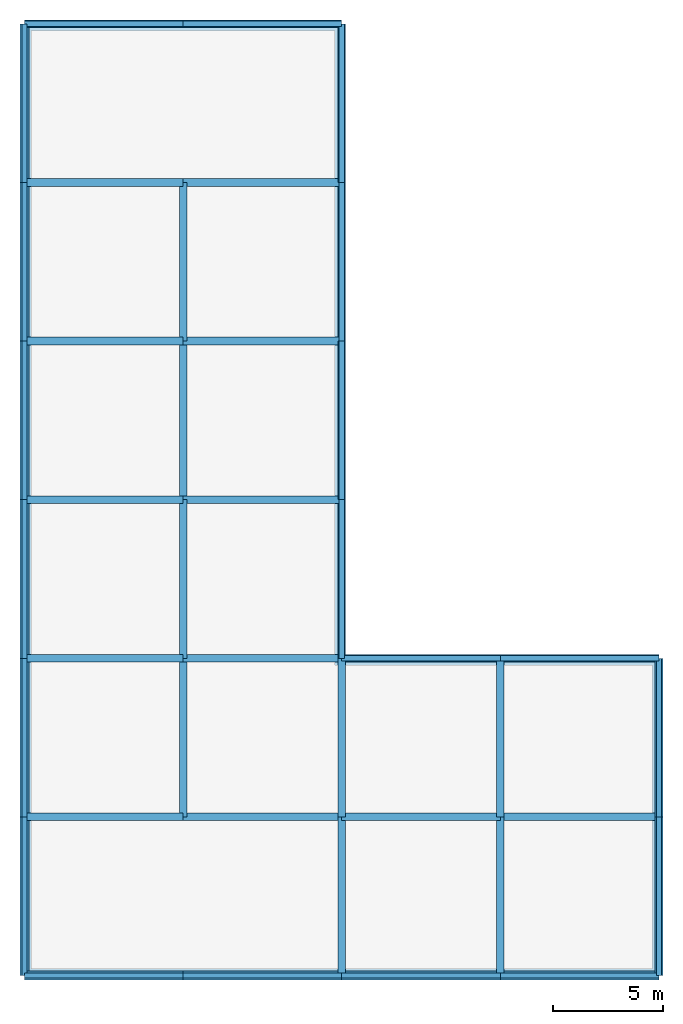
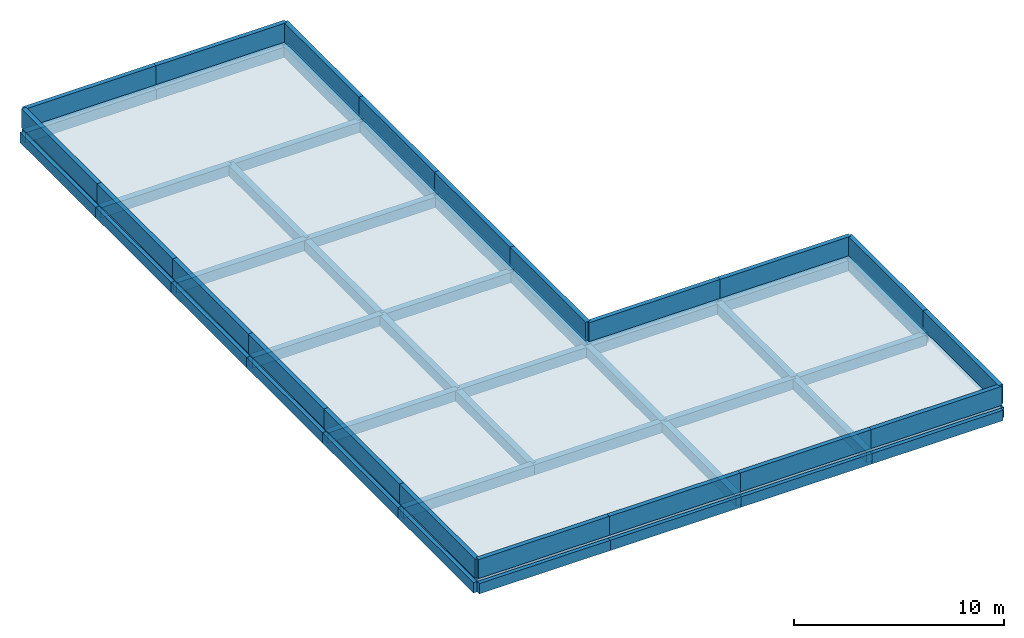
# One storey, part 1 of 2: 40 beams, 20 walls, 1 slab.
"""IFC4 building model written with IfcOpenShell, lengths in metres."""

from ifc_helpers import new_model, si_unit, direction, frame, frame_2d, origin, origin_2d, place, context, subcontext, project, spatial, polyline, rectangle, outline, extrude, material, layer, layer_set, material_profile, profile_set, type_object, element, save


model = new_model("IFC4")

# Units and contexts
model_context = context("Model", 3, precision=1e-05, world=origin(), true_north=direction((0.0, 1.0)))
body_context = subcontext(model_context, "Body", "Model", "MODEL_VIEW")
ifc_project = project(units=[si_unit("LENGTHUNIT", "METRE"), si_unit("AREAUNIT", "SQUARE_METRE"), si_unit("VOLUMEUNIT", "CUBIC_METRE"), si_unit("PLANEANGLEUNIT", "RADIAN"), si_unit("MASSUNIT", "GRAM", prefix="KILO")], contexts=[model_context])

# Site, building, storey
site_placement = place(None, origin())
site = spatial("IfcSite", under=ifc_project, at=site_placement, CompositionType="ELEMENT")
building_placement = place(site_placement, origin())
building = spatial("IfcBuilding", under=site, at=building_placement, Name="Zornivar Specialist Clinic", CompositionType="ELEMENT")
storey_placement = place(building_placement, frame((0.0, 0.0, 27.0)))
storey = spatial("IfcBuildingStorey", under=building, at=storey_placement, Name="RF", CompositionType="ELEMENT", Elevation=27.0)

# Beams
ifc_material_1 = material(Name="Concrete C30/37", Category="concrete")
ifc_material_profile_1 = material_profile(ifc_material_1, rectangle(XDim=0.35009765625, YDim=0.60009765625, at=origin_2d()), Name="RC 350x600")
ifc_profile_set_1 = profile_set([ifc_material_profile_1], Name="Concrete C30/37")
beam_type_1 = type_object("IfcBeamType", Name="BM-RC-350x600", PredefinedType="BEAM", material=ifc_profile_set_1)
for number, where, z_axis, x_axis, name in (
    (1, (0.0, 7.199951171875, -0.5400390625), (1.0, 0.0, 0.0), (0.0, 1.0, 0.0), "bm:V2:RF:x:72:0"),
    (2, (7.199951171875, 7.199951171875, -0.5400390625), (1.0, 0.0, 0.0), (0.0, 1.0, 0.0), "bm:V2:RF:x:72:1"),
):
    element("IfcBeam", number, at=place(storey_placement, frame(where, z_axis=z_axis, x_axis=x_axis)), inside=storey, type_object=beam_type_1, Name=name, PredefinedType="BEAM", context=body_context, shape_type="SweptSolid", body=[
        extrude(rectangle(XDim=0.35009765625, YDim=0.60009765625, at=origin_2d()), origin(), (0.0, 0.0, 1.0), 7.199951171875),
    ])
beam_1_placement = place(storey_placement, frame((14.39990234375, 7.199951171875, -0.5400390625), z_axis=(1.0, 0.0, 0.0), x_axis=(0.0, 1.0, 0.0)))
element("IfcBeam", 3, at=beam_1_placement, inside=storey, type_object=beam_type_1, Name="bm:V2:RF:x:72:2", PredefinedType="BEAM", context=body_context, shape_type="SweptSolid", body=[
    extrude(rectangle(XDim=0.35009765625, YDim=0.60009765625, at=origin_2d()), origin(), (0.0, 0.0, 1.0), 7.2001953125),
])
for number, where, z_axis, x_axis, name in (
    (4, (21.60009765625, 7.199951171875, -0.5400390625), (1.0, 0.0, 0.0), (0.0, 1.0, 0.0), "bm:V2:RF:x:72:3"),
    (5, (0.0, 14.39990234375, -0.5400390625), (1.0, 0.0, 0.0), (0.0, 1.0, 0.0), "bm:V2:RF:x:144:0"),
    (6, (7.199951171875, 14.39990234375, -0.5400390625), (1.0, 0.0, 0.0), (0.0, 1.0, 0.0), "bm:V2:RF:x:144:1"),
):
    element("IfcBeam", number, at=place(storey_placement, frame(where, z_axis=z_axis, x_axis=x_axis)), inside=storey, type_object=beam_type_1, Name=name, PredefinedType="BEAM", context=body_context, shape_type="SweptSolid", body=[
        extrude(rectangle(XDim=0.35009765625, YDim=0.60009765625, at=origin_2d()), origin(), (0.0, 0.0, 1.0), 7.199951171875),
    ])
beam_2_placement = place(storey_placement, frame((14.39990234375, 14.39990234375, -0.5400390625), z_axis=(1.0, 0.0, 0.0), x_axis=(0.0, 1.0, 0.0)))
element("IfcBeam", 7, at=beam_2_placement, inside=storey, type_object=beam_type_1, Name="bm:V2:RF:x:144:2", PredefinedType="BEAM", context=body_context, shape_type="SweptSolid", body=[
    extrude(rectangle(XDim=0.35009765625, YDim=0.60009765625, at=origin_2d()), origin(), (0.0, 0.0, 1.0), 7.2001953125),
])
for number, where, z_axis, x_axis, name in (
    (8, (21.60009765625, 14.39990234375, -0.5400390625), (1.0, 0.0, 0.0), (0.0, 1.0, 0.0), "bm:V2:RF:x:144:3"),
    (9, (0.0, 21.60009765625, -0.5400390625), (1.0, 0.0, 0.0), (0.0, 1.0, 0.0), "bm:V2:RF:x:216:0"),
    (10, (7.199951171875, 21.60009765625, -0.5400390625), (1.0, 0.0, 0.0), (0.0, 1.0, 0.0), "bm:V2:RF:x:216:1"),
    (11, (0.0, 28.800048828125, -0.5400390625), (1.0, 0.0, 0.0), (0.0, 1.0, 0.0), "bm:V2:RF:x:288:0"),
    (12, (7.199951171875, 28.800048828125, -0.5400390625), (1.0, 0.0, 0.0), (0.0, 1.0, 0.0), "bm:V2:RF:x:288:1"),
    (13, (0.0, 36.0, -0.5400390625), (1.0, 0.0, 0.0), (0.0, 1.0, 0.0), "bm:V2:RF:x:360:0"),
    (14, (7.199951171875, 36.0, -0.5400390625), (1.0, 0.0, 0.0), (0.0, 1.0, 0.0), "bm:V2:RF:x:360:1"),
    (15, (0.0, 43.199951171875, -0.5400390625), (1.0, 0.0, 0.0), (0.0, 1.0, 0.0), "bm:V2:RF:x:432:0"),
    (16, (7.199951171875, 43.199951171875, -0.5400390625), (1.0, 0.0, 0.0), (0.0, 1.0, 0.0), "bm:V2:RF:x:432:1"),
    (17, (7.199951171875, 7.199951171875, -0.5400390625), (0.0, 1.0, 0.0), (-1.0, 0.0, 0.0), "bm:V2:RF:y:72:1"),
):
    element("IfcBeam", number, at=place(storey_placement, frame(where, z_axis=z_axis, x_axis=x_axis)), inside=storey, type_object=beam_type_1, Name=name, PredefinedType="BEAM", context=body_context, shape_type="SweptSolid", body=[
        extrude(rectangle(XDim=0.35009765625, YDim=0.60009765625, at=origin_2d()), origin(), (0.0, 0.0, 1.0), 7.199951171875),
    ])
beam_3_placement = place(storey_placement, frame((7.199951171875, 14.39990234375, -0.5400390625), z_axis=(0.0, 1.0, 0.0), x_axis=(-1.0, 0.0, 0.0)))
element("IfcBeam", 18, at=beam_3_placement, inside=storey, type_object=beam_type_1, Name="bm:V2:RF:y:72:2", PredefinedType="BEAM", context=body_context, shape_type="SweptSolid", body=[
    extrude(rectangle(XDim=0.35009765625, YDim=0.60009765625, at=origin_2d()), origin(), (0.0, 0.0, 1.0), 7.2001953125),
])
for number, where, z_axis, x_axis, name in (
    (19, (7.199951171875, 21.60009765625, -0.5400390625), (0.0, 1.0, 0.0), (-1.0, 0.0, 0.0), "bm:V2:RF:y:72:3"),
    (20, (7.199951171875, 28.800048828125, -0.5400390625), (0.0, 1.0, 0.0), (-1.0, 0.0, 0.0), "bm:V2:RF:y:72:4"),
    (21, (14.39990234375, 0.0, -0.5400390625), (0.0, 1.0, 0.0), (-1.0, 0.0, 0.0), "bm:V2:RF:y:144:0"),
    (22, (14.39990234375, 7.199951171875, -0.5400390625), (0.0, 1.0, 0.0), (-1.0, 0.0, 0.0), "bm:V2:RF:y:144:1"),
):
    element("IfcBeam", number, at=place(storey_placement, frame(where, z_axis=z_axis, x_axis=x_axis)), inside=storey, type_object=beam_type_1, Name=name, PredefinedType="BEAM", context=body_context, shape_type="SweptSolid", body=[
        extrude(rectangle(XDim=0.35009765625, YDim=0.60009765625, at=origin_2d()), origin(), (0.0, 0.0, 1.0), 7.199951171875),
    ])
beam_4_placement = place(storey_placement, frame((14.39990234375, 14.39990234375, -0.5400390625), z_axis=(0.0, 1.0, 0.0), x_axis=(-1.0, 0.0, 0.0)))
element("IfcBeam", 23, at=beam_4_placement, inside=storey, type_object=beam_type_1, Name="bm:V2:RF:y:144:2", PredefinedType="BEAM", context=body_context, shape_type="SweptSolid", body=[
    extrude(rectangle(XDim=0.35009765625, YDim=0.60009765625, at=origin_2d()), origin(), (0.0, 0.0, 1.0), 7.2001953125),
])
for number, where, z_axis, x_axis, name in (
    (24, (14.39990234375, 21.60009765625, -0.5400390625), (0.0, 1.0, 0.0), (-1.0, 0.0, 0.0), "bm:V2:RF:y:144:3"),
    (25, (14.39990234375, 28.800048828125, -0.5400390625), (0.0, 1.0, 0.0), (-1.0, 0.0, 0.0), "bm:V2:RF:y:144:4"),
    (26, (14.39990234375, 36.0, -0.5400390625), (0.0, 1.0, 0.0), (-1.0, 0.0, 0.0), "bm:V2:RF:y:144:5"),
    (27, (21.60009765625, 0.0, -0.5400390625), (0.0, 1.0, 0.0), (-1.0, 0.0, 0.0), "bm:V2:RF:y:216:0"),
    (28, (21.60009765625, 7.199951171875, -0.5400390625), (0.0, 1.0, 0.0), (-1.0, 0.0, 0.0), "bm:V2:RF:y:216:1"),
    (29, (28.800048828125, 0.0, -0.5400390625), (0.0, 1.0, 0.0), (-1.0, 0.0, 0.0), "bm:V2:RF:y:288:0"),
    (30, (28.800048828125, 7.199951171875, -0.5400390625), (0.0, 1.0, 0.0), (-1.0, 0.0, 0.0), "bm:V2:RF:y:288:1"),
):
    element("IfcBeam", number, at=place(storey_placement, frame(where, z_axis=z_axis, x_axis=x_axis)), inside=storey, type_object=beam_type_1, Name=name, PredefinedType="BEAM", context=body_context, shape_type="SweptSolid", body=[
        extrude(rectangle(XDim=0.35009765625, YDim=0.60009765625, at=origin_2d()), origin(), (0.0, 0.0, 1.0), 7.199951171875),
    ])
ifc_material_2 = material(Name="Concrete C30/37", Category="concrete")
ifc_material_profile_2 = material_profile(ifc_material_2, rectangle(XDim=0.409912109375, YDim=0.60009765625, at=origin_2d()), Name="RC 410x600")
ifc_profile_set_2 = profile_set([ifc_material_profile_2], Name="Concrete C30/37")
beam_type_2 = type_object("IfcBeamType", Name="BM-RC-SPANDREL-410x600", PredefinedType="SPANDREL", material=ifc_profile_set_2)
for number, where, z_axis, x_axis, name in (
    (31, (0.0, 0.0, -0.5400390625), (1.0, 0.0, 0.0), (0.0, 1.0, 0.0), "bm:V2:RF:x:0:0"),
    (32, (7.199951171875, 0.0, -0.5400390625), (1.0, 0.0, 0.0), (0.0, 1.0, 0.0), "bm:V2:RF:x:0:1"),
):
    element("IfcBeam", number, at=place(storey_placement, frame(where, z_axis=z_axis, x_axis=x_axis)), inside=storey, type_object=beam_type_2, Name=name, PredefinedType="SPANDREL", context=body_context, shape_type="SweptSolid", body=[
        extrude(rectangle(XDim=0.409912109375, YDim=0.60009765625, at=origin_2d()), origin(), (0.0, 0.0, 1.0), 7.199951171875),
    ])
beam_5_placement = place(storey_placement, frame((14.39990234375, 0.0, -0.5400390625), z_axis=(1.0, 0.0, 0.0), x_axis=(0.0, 1.0, 0.0)))
element("IfcBeam", 33, at=beam_5_placement, inside=storey, type_object=beam_type_2, Name="bm:V2:RF:x:0:2", PredefinedType="SPANDREL", context=body_context, shape_type="SweptSolid", body=[
    extrude(rectangle(XDim=0.409912109375, YDim=0.60009765625, at=origin_2d()), origin(), (0.0, 0.0, 1.0), 7.2001953125),
])
for number, where, z_axis, x_axis, name in (
    (34, (21.60009765625, 0.0, -0.5400390625), (1.0, 0.0, 0.0), (0.0, 1.0, 0.0), "bm:V2:RF:x:0:3"),
    (35, (0.0, 0.0, -0.5400390625), (0.0, 1.0, 0.0), (-1.0, 0.0, 0.0), "bm:V2:RF:y:0:0"),
    (36, (0.0, 7.199951171875, -0.5400390625), (0.0, 1.0, 0.0), (-1.0, 0.0, 0.0), "bm:V2:RF:y:0:1"),
):
    element("IfcBeam", number, at=place(storey_placement, frame(where, z_axis=z_axis, x_axis=x_axis)), inside=storey, type_object=beam_type_2, Name=name, PredefinedType="SPANDREL", context=body_context, shape_type="SweptSolid", body=[
        extrude(rectangle(XDim=0.409912109375, YDim=0.60009765625, at=origin_2d()), origin(), (0.0, 0.0, 1.0), 7.199951171875),
    ])
beam_6_placement = place(storey_placement, frame((0.0, 14.39990234375, -0.5400390625), z_axis=(0.0, 1.0, 0.0), x_axis=(-1.0, 0.0, 0.0)))
element("IfcBeam", 37, at=beam_6_placement, inside=storey, type_object=beam_type_2, Name="bm:V2:RF:y:0:2", PredefinedType="SPANDREL", context=body_context, shape_type="SweptSolid", body=[
    extrude(rectangle(XDim=0.409912109375, YDim=0.60009765625, at=origin_2d()), origin(), (0.0, 0.0, 1.0), 7.2001953125),
])
for number, where, z_axis, x_axis, name in (
    (38, (0.0, 21.60009765625, -0.5400390625), (0.0, 1.0, 0.0), (-1.0, 0.0, 0.0), "bm:V2:RF:y:0:3"),
    (39, (0.0, 28.800048828125, -0.5400390625), (0.0, 1.0, 0.0), (-1.0, 0.0, 0.0), "bm:V2:RF:y:0:4"),
    (40, (0.0, 36.0, -0.5400390625), (0.0, 1.0, 0.0), (-1.0, 0.0, 0.0), "bm:V2:RF:y:0:5"),
):
    element("IfcBeam", number, at=place(storey_placement, frame(where, z_axis=z_axis, x_axis=x_axis)), inside=storey, type_object=beam_type_2, Name=name, PredefinedType="SPANDREL", context=body_context, shape_type="SweptSolid", body=[
        extrude(rectangle(XDim=0.409912109375, YDim=0.60009765625, at=origin_2d()), origin(), (0.0, 0.0, 1.0), 7.199951171875),
    ])

# Slab
ifc_material_3 = material(Name="Concrete C30/37", Category="concrete")
ifc_layer_1 = layer(ifc_material_3, 0.239990234375)
ifc_layer_set_1 = layer_set([ifc_layer_1], Name="Concrete C30/37")
slab_type = type_object("IfcSlabType", Name="SLB-ROOF-FLAT-240", PredefinedType="ROOF", material=ifc_layer_set_1)
slab_placement = place(storey_placement, frame((0.0, 0.0, -0.239990234375)))
element("IfcSlab", 41, at=slab_placement, inside=storey, type_object=slab_type, Name="slab:V2:RF:roof", PredefinedType="ROOF", context=body_context, shape_type="SweptSolid", body=[
    extrude(outline(polyline([(0.0, 0.0), (28.800048828125, 0.0), (28.800048828125, 14.39990234375), (14.39990234375, 14.39990234375), (14.39990234375, 43.199951171875), (0.0, 43.199951171875), (0.0, 0.0)])), origin(), (0.0, 0.0, 1.0), 0.239990234375),
])

# Walls
ifc_material_4 = material(Name="Masonry Capped Vratsa Limestone Roof Parapet", Category="masonry")
ifc_layer_2 = layer(ifc_material_4, 0.239990234375)
ifc_layer_set_2 = layer_set([ifc_layer_2], Name="Masonry Capped Vratsa Limestone Roof Parapet")
wall_type = type_object("IfcWallType", Name="PW-PARAPET-240", PredefinedType="PARAPET", material=ifc_layer_set_2)
for number, where, z_axis, x_axis, name in (
    (42, (0.0, 0.0, 0.0), (0.0, 0.0, 1.0), (1.0, 0.0, 0.0), "pw:V2:RF:00"),
    (43, (7.199951171875, 0.0, 0.0), (0.0, 0.0, 1.0), (1.0, 0.0, 0.0), "pw:V2:RF:01"),
):
    element("IfcWall", number, at=place(storey_placement, frame(where, z_axis=z_axis, x_axis=x_axis)), inside=storey, type_object=wall_type, Name=name, PredefinedType="PARAPET", context=body_context, shape_type="SweptSolid", body=[
        extrude(rectangle(XDim=7.199951171875, YDim=0.239990234375, at=frame_2d((3.60009765625, 0.0))), origin(), (0.0, 0.0, 1.0), 1.10009765625),
    ])
wall_1_placement = place(storey_placement, frame((14.39990234375, 0.0, 0.0), z_axis=(0.0, 0.0, 1.0), x_axis=(1.0, 0.0, 0.0)))
element("IfcWall", 44, at=wall_1_placement, inside=storey, type_object=wall_type, Name="pw:V2:RF:02", PredefinedType="PARAPET", context=body_context, shape_type="SweptSolid", body=[
    extrude(rectangle(XDim=7.2001953125, YDim=0.239990234375, at=frame_2d((3.60009765625, 0.0))), origin(), (0.0, 0.0, 1.0), 1.10009765625),
])
for number, where, z_axis, x_axis, name in (
    (45, (21.60009765625, 0.0, 0.0), (0.0, 0.0, 1.0), (1.0, 0.0, 0.0), "pw:V2:RF:03"),
    (46, (28.800048828125, 0.0, 0.0), (0.0, 0.0, 1.0), (0.0, 1.0, 0.0), "pw:V2:RF:04"),
    (47, (28.800048828125, 7.199951171875, 0.0), (0.0, 0.0, 1.0), (0.0, 1.0, 0.0), "pw:V2:RF:05"),
    (48, (28.800048828125, 14.39990234375, 0.0), (0.0, 0.0, 1.0), (-1.0, 0.0, 0.0), "pw:V2:RF:06"),
):
    element("IfcWall", number, at=place(storey_placement, frame(where, z_axis=z_axis, x_axis=x_axis)), inside=storey, type_object=wall_type, Name=name, PredefinedType="PARAPET", context=body_context, shape_type="SweptSolid", body=[
        extrude(rectangle(XDim=7.199951171875, YDim=0.239990234375, at=frame_2d((3.60009765625, 0.0))), origin(), (0.0, 0.0, 1.0), 1.10009765625),
    ])
for number, where, z_axis, x_axis, name in (
    (49, (21.60009765625, 14.39990234375, 0.0), (0.0, 0.0, 1.0), (-1.0, 0.0, 0.0), "pw:V2:RF:07"),
    (50, (14.39990234375, 14.39990234375, 0.0), (0.0, 0.0, 1.0), (0.0, 1.0, 0.0), "pw:V2:RF:08"),
):
    element("IfcWall", number, at=place(storey_placement, frame(where, z_axis=z_axis, x_axis=x_axis)), inside=storey, type_object=wall_type, Name=name, PredefinedType="PARAPET", context=body_context, shape_type="SweptSolid", body=[
        extrude(rectangle(XDim=7.2001953125, YDim=0.239990234375, at=frame_2d((3.60009765625, 0.0))), origin(), (0.0, 0.0, 1.0), 1.10009765625),
    ])
for number, where, z_axis, x_axis, name in (
    (51, (14.39990234375, 21.60009765625, 0.0), (0.0, 0.0, 1.0), (0.0, 1.0, 0.0), "pw:V2:RF:09"),
    (52, (14.39990234375, 28.800048828125, 0.0), (0.0, 0.0, 1.0), (0.0, 1.0, 0.0), "pw:V2:RF:10"),
    (53, (14.39990234375, 36.0, 0.0), (0.0, 0.0, 1.0), (0.0, 1.0, 0.0), "pw:V2:RF:11"),
    (54, (14.39990234375, 43.199951171875, 0.0), (0.0, 0.0, 1.0), (-1.0, 0.0, 0.0), "pw:V2:RF:12"),
    (55, (7.199951171875, 43.199951171875, 0.0), (0.0, 0.0, 1.0), (-1.0, 0.0, 0.0), "pw:V2:RF:13"),
    (56, (0.0, 43.199951171875, 0.0), (0.0, 0.0, 1.0), (0.0, -1.0, 0.0), "pw:V2:RF:14"),
    (57, (0.0, 36.0, 0.0), (0.0, 0.0, 1.0), (0.0, -1.0, 0.0), "pw:V2:RF:15"),
    (58, (0.0, 28.800048828125, 0.0), (0.0, 0.0, 1.0), (0.0, -1.0, 0.0), "pw:V2:RF:16"),
):
    element("IfcWall", number, at=place(storey_placement, frame(where, z_axis=z_axis, x_axis=x_axis)), inside=storey, type_object=wall_type, Name=name, PredefinedType="PARAPET", context=body_context, shape_type="SweptSolid", body=[
        extrude(rectangle(XDim=7.199951171875, YDim=0.239990234375, at=frame_2d((3.60009765625, 0.0))), origin(), (0.0, 0.0, 1.0), 1.10009765625),
    ])
wall_2_placement = place(storey_placement, frame((0.0, 21.60009765625, 0.0), z_axis=(0.0, 0.0, 1.0), x_axis=(0.0, -1.0, 0.0)))
element("IfcWall", 59, at=wall_2_placement, inside=storey, type_object=wall_type, Name="pw:V2:RF:17", PredefinedType="PARAPET", context=body_context, shape_type="SweptSolid", body=[
    extrude(rectangle(XDim=7.2001953125, YDim=0.239990234375, at=frame_2d((3.60009765625, 0.0))), origin(), (0.0, 0.0, 1.0), 1.10009765625),
])
for number, where, z_axis, x_axis, name in (
    (60, (0.0, 14.39990234375, 0.0), (0.0, 0.0, 1.0), (0.0, -1.0, 0.0), "pw:V2:RF:18"),
    (61, (0.0, 7.199951171875, 0.0), (0.0, 0.0, 1.0), (0.0, -1.0, 0.0), "pw:V2:RF:19"),
):
    element("IfcWall", number, at=place(storey_placement, frame(where, z_axis=z_axis, x_axis=x_axis)), inside=storey, type_object=wall_type, Name=name, PredefinedType="PARAPET", context=body_context, shape_type="SweptSolid", body=[
        extrude(rectangle(XDim=7.199951171875, YDim=0.239990234375, at=frame_2d((3.60009765625, 0.0))), origin(), (0.0, 0.0, 1.0), 1.10009765625),
    ])

save(model, "model.ifc")
